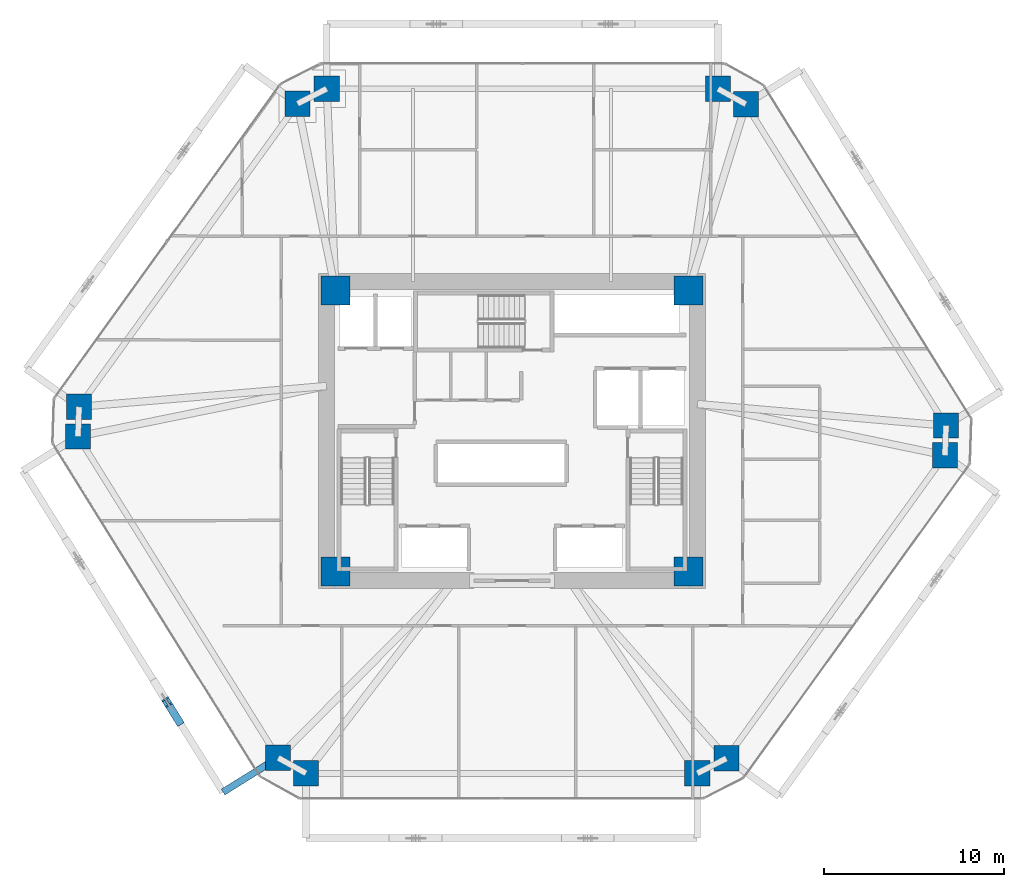
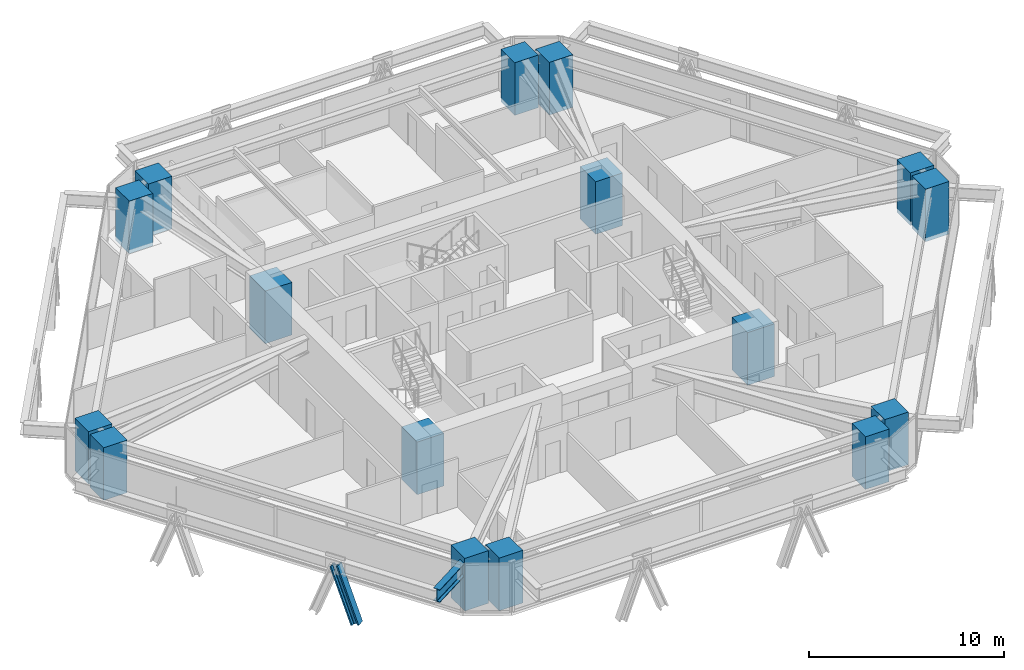
# One storey, part 1 of 17: 16 columns, 1 beam, 1 member.
"""IFC4 building model written with IfcOpenShell, lengths in metres."""

from ifc_helpers import new_model, si_unit, direction, frame, origin, origin_2d, place, context, subcontext, project, spatial, rectangle, i_section, extrude, source, transform, mapped, material, material_profile, profile_set, type_object, type_shapes, element, save


model = new_model("IFC4")

# Units and contexts
model_context = context("Model", 3, precision=1e-05, world=origin(), true_north=direction((0.0, 1.0)))
body_context = subcontext(model_context, "Body", "Model", "MODEL_VIEW")
ifc_project = project(units=[si_unit("LENGTHUNIT", "METRE"), si_unit("AREAUNIT", "SQUARE_METRE"), si_unit("VOLUMEUNIT", "CUBIC_METRE"), si_unit("PLANEANGLEUNIT", "RADIAN"), si_unit("MASSUNIT", "GRAM", prefix="KILO")], contexts=[model_context])

# Site, building, storey
site_placement = place(None, origin())
site = spatial("IfcSite", under=ifc_project, at=site_placement, CompositionType="ELEMENT")
building_placement = place(site_placement, origin())
building = spatial("IfcBuilding", under=site, at=building_placement, Name="Durnholm Broadcast Tower", CompositionType="ELEMENT")
storey_placement = place(building_placement, frame((0.0, 0.0, 39.0)))
storey = spatial("IfcBuildingStorey", under=building, at=storey_placement, Name="L08", CompositionType="ELEMENT", Elevation=39.0)

# Columns
ifc_material_1 = material(Name="Concrete C70/85", Category="concrete")
ifc_material_profile_1 = material_profile(ifc_material_1, rectangle(XDim=1.60009765625, YDim=1.60009765625, at=origin_2d()), Name="RC1600X1600")
ifc_profile_set_1 = profile_set([ifc_material_profile_1], Name="Concrete C70/85")
column_type_1 = type_object("IfcColumnType", Name="COL-CC-1600", PredefinedType="COLUMN", material=ifc_profile_set_1)
shared_shape_1 = source(origin(), body_context, "Body", "SweptSolid", [
    extrude(rectangle(XDim=1.60009765625, YDim=1.60009765625, at=origin_2d()), origin(), (0.0, 0.0, 1.0), 3.300048828125),
])
type_shapes(column_type_1, [shared_shape_1])
for number, where, z_axis, x_axis, name in (
    (1, (-9.800048828125, -7.800048828125, -0.239990234375), (0.0, 0.0, 1.0), (1.0, 0.0, 0.0), "L08 core corner column 1"),
    (2, (9.800048828125, -7.800048828125, -0.239990234375), (0.0, 0.0, 1.0), (1.0, 0.0, 0.0), "L08 core corner column 2"),
    (3, (9.800048828125, 7.800048828125, -0.239990234375), (0.0, 0.0, 1.0), (1.0, 0.0, 0.0), "L08 core corner column 3"),
    (4, (-9.800048828125, 7.800048828125, -0.239990234375), (0.0, 0.0, 1.0), (1.0, 0.0, 0.0), "L08 core corner column 4"),
):
    element("IfcColumn", number, at=place(storey_placement, frame(where, z_axis=z_axis, x_axis=x_axis)), inside=storey, type_object=column_type_1, Name=name, PredefinedType="COLUMN", context=body_context, shape_type="MappedRepresentation", body=[
        mapped(shared_shape_1, transform((0.0, 0.0, 0.0), x_axis=(1.0, 0.0, 0.0), y_axis=(0.0, 1.0, 0.0), z_axis=(0.0, 0.0, 1.0), scale=1.0)),
    ])
ifc_material_profile_2 = material_profile(ifc_material_1, rectangle(XDim=1.39990234375, YDim=1.39990234375, at=origin_2d()), Name="RC1400X1400")
ifc_profile_set_2 = profile_set([ifc_material_profile_2], Name="Concrete C70/85")
column_type_2 = type_object("IfcColumnType", Name="COL-CC-1400", PredefinedType="COLUMN", material=ifc_profile_set_2)
shared_shape_2 = source(origin(), body_context, "Body", "SweptSolid", [
    extrude(rectangle(XDim=1.39990234375, YDim=1.39990234375, at=origin_2d()), origin(), (0.0, 0.0, 1.0), 3.300048828125),
])
type_shapes(column_type_2, [shared_shape_2])
for number, where, z_axis, x_axis, name in (
    (5, (-12.982666015625, -18.138427734375, -0.239990234375), (0.0, 0.0, 1.0), (1.0, 0.0, 0.0), "L08 perimeter hexagonal tube column 01"),
    (6, (-24.0908203125, -0.2998046875, -0.239990234375), (0.0, 0.0, 1.0), (1.0, 0.0, 0.0), "L08 perimeter hexagonal tube column 02"),
    (7, (-24.034912109375, 1.347412109375, -0.239990234375), (0.0, 0.0, 1.0), (1.0, 0.0, 0.0), "L08 perimeter hexagonal tube column 03"),
    (8, (-11.907470703125, 18.16845703125, -0.239990234375), (0.0, 0.0, 1.0), (1.0, 0.0, 0.0), "L08 perimeter hexagonal tube column 04"),
    (9, (-10.28271484375, 19.0, -0.239990234375), (0.0, 0.0, 1.0), (1.0, 0.0, 0.0), "L08 perimeter hexagonal tube column 05"),
    (10, (11.43115234375, 19.0, -0.239990234375), (0.0, 0.0, 1.0), (1.0, 0.0, 0.0), "L08 perimeter hexagonal tube column 06"),
    (11, (12.982666015625, 18.138427734375, -0.239990234375), (0.0, 0.0, 1.0), (1.0, 0.0, 0.0), "L08 perimeter hexagonal tube column 07"),
    (12, (24.0908203125, 0.2998046875, -0.239990234375), (0.0, 0.0, 1.0), (1.0, 0.0, 0.0), "L08 perimeter hexagonal tube column 08"),
    (13, (24.034912109375, -1.347412109375, -0.239990234375), (0.0, 0.0, 1.0), (1.0, 0.0, 0.0), "L08 perimeter hexagonal tube column 09"),
    (14, (11.907470703125, -18.16845703125, -0.239990234375), (0.0, 0.0, 1.0), (1.0, 0.0, 0.0), "L08 perimeter hexagonal tube column 10"),
    (15, (10.28271484375, -19.0, -0.239990234375), (0.0, 0.0, 1.0), (1.0, 0.0, 0.0), "L08 perimeter hexagonal tube column 11"),
    (16, (-11.43115234375, -19.0, -0.239990234375), (0.0, 0.0, 1.0), (1.0, 0.0, 0.0), "L08 perimeter hexagonal tube column 12"),
):
    element("IfcColumn", number, at=place(storey_placement, frame(where, z_axis=z_axis, x_axis=x_axis)), inside=storey, type_object=column_type_2, Name=name, PredefinedType="COLUMN", context=body_context, shape_type="MappedRepresentation", body=[
        mapped(shared_shape_2, transform((0.0, 0.0, 0.0), x_axis=(1.0, 0.0, 0.0), y_axis=(0.0, 1.0, 0.0), z_axis=(0.0, 0.0, 1.0), scale=1.0)),
    ])

# Beam
ifc_material_2 = material(Name="Steel ASTM A992 Grade 50", Category="steel")
ifc_material_profile_3 = material_profile(ifc_material_2, i_section(OverallWidth=0.385009765625, OverallDepth=0.802978515625, WebThickness=0.023681640625, FlangeThickness=0.0419921875, FilletRadius=0.032958984375, at=origin_2d()), Name="W30X261")
ifc_profile_set_3 = profile_set([ifc_material_profile_3], Name="Steel ASTM A992 Grade 50")
beam_type = type_object("IfcBeamType", Name="BM-EXO-TIE", PredefinedType="USERDEFINED", material=ifc_profile_set_3)
shared_shape_3 = source(origin(), body_context, "Body", "SweptSolid", [
    extrude(i_section(OverallWidth=0.385009765625, OverallDepth=0.802978515625, WebThickness=0.023681640625, FlangeThickness=0.0419921875, FilletRadius=0.032958984375, at=origin_2d()), origin(), (0.0, 0.0, 1.0), 3.4560546875),
])
type_shapes(beam_type, [shared_shape_3])
beam_placement = place(storey_placement, frame((-13.10498046875, -18.214599609375, 2.30859375), z_axis=(-0.848854443891, -0.528626648105, 0.0), x_axis=(0.528626648105, -0.848854443891, 0.0)))
element("IfcBeam", 17, at=beam_placement, inside=storey, type_object=beam_type, Name="L08 exoskeleton stand-off tie bracket F6.2", ObjectType="GIRDER", PredefinedType="USERDEFINED", context=body_context, shape_type="MappedRepresentation", body=[
    mapped(shared_shape_3, transform((0.0, 0.0, 0.0), x_axis=(1.0, 0.0, 0.0), y_axis=(0.0, 1.0, 0.0), z_axis=(0.0, 0.0, 1.0), scale=1.0)),
])

# Member
ifc_material_3 = material(Name="Steel ASTM A913 Grade 65", Category="steel")
ifc_material_profile_4 = material_profile(ifc_material_3, i_section(OverallWidth=0.43212890625, OverallDepth=0.497802734375, WebThickness=0.0556640625, FlangeThickness=0.0888671875, FilletRadius=0.030517578125, at=origin_2d()), Name="W14X500")
ifc_profile_set_4 = profile_set([ifc_material_profile_4], Name="Steel ASTM A913 Grade 65")
member_type = type_object("IfcMemberType", Name="STL-DG-W14X500", PredefinedType="BRACE", material=ifc_profile_set_4)
shared_shape_4 = source(origin(), body_context, "Body", "SweptSolid", [
    extrude(i_section(OverallWidth=0.43212890625, OverallDepth=0.497802734375, WebThickness=0.0556640625, FlangeThickness=0.0888671875, FilletRadius=0.030517578125, at=origin_2d()), origin(), (0.0, 0.0, 1.0), 3.523193359375),
])
type_shapes(member_type, [shared_shape_4])
member_placement = place(storey_placement, frame((-18.496826171875, -16.09375, -0.991455078125), z_axis=(-0.185090383068, 0.297281072018, 0.936677913861), x_axis=(-0.848908635391, -0.528539618911, 0.0)))
element("IfcMember", 18, at=member_placement, inside=storey, type_object=member_type, Name="L08 stand-off diagrid brace F6.D2.2", PredefinedType="BRACE", context=body_context, shape_type="MappedRepresentation", body=[
    mapped(shared_shape_4, transform((0.0, 0.0, 0.0), x_axis=(1.0, 0.0, 0.0), y_axis=(0.0, 1.0, 0.0), z_axis=(0.0, 0.0, 1.0), scale=1.0)),
])

save(model, "model.ifc")
